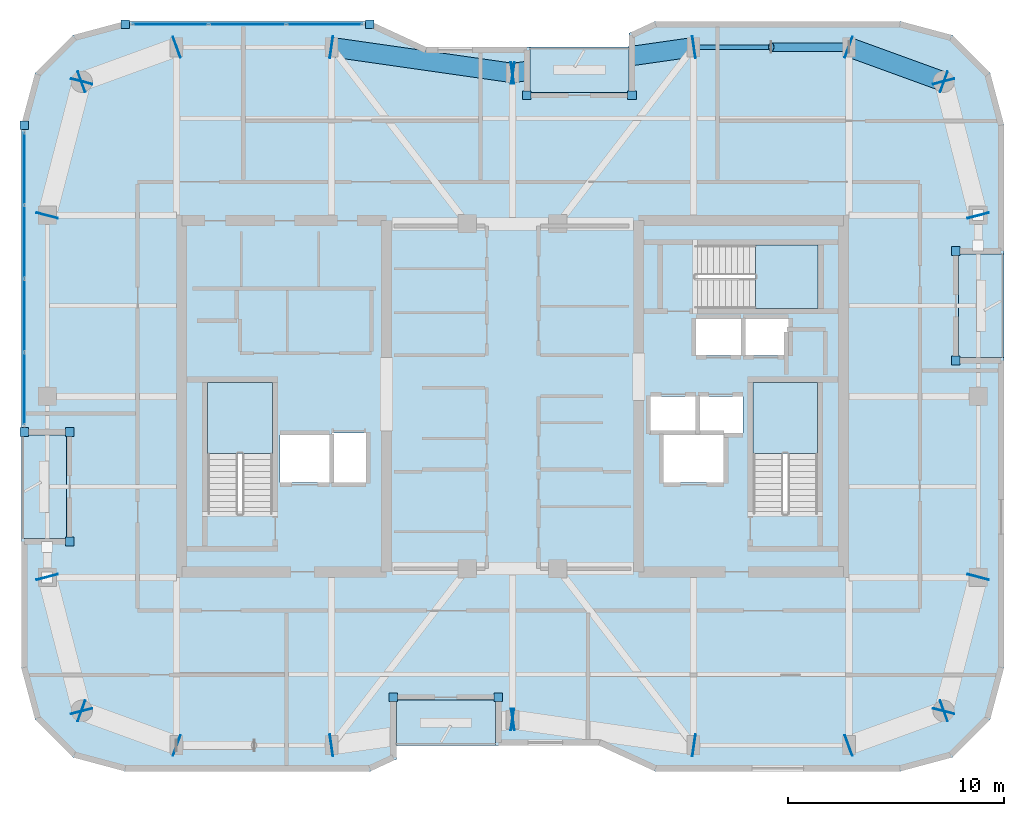
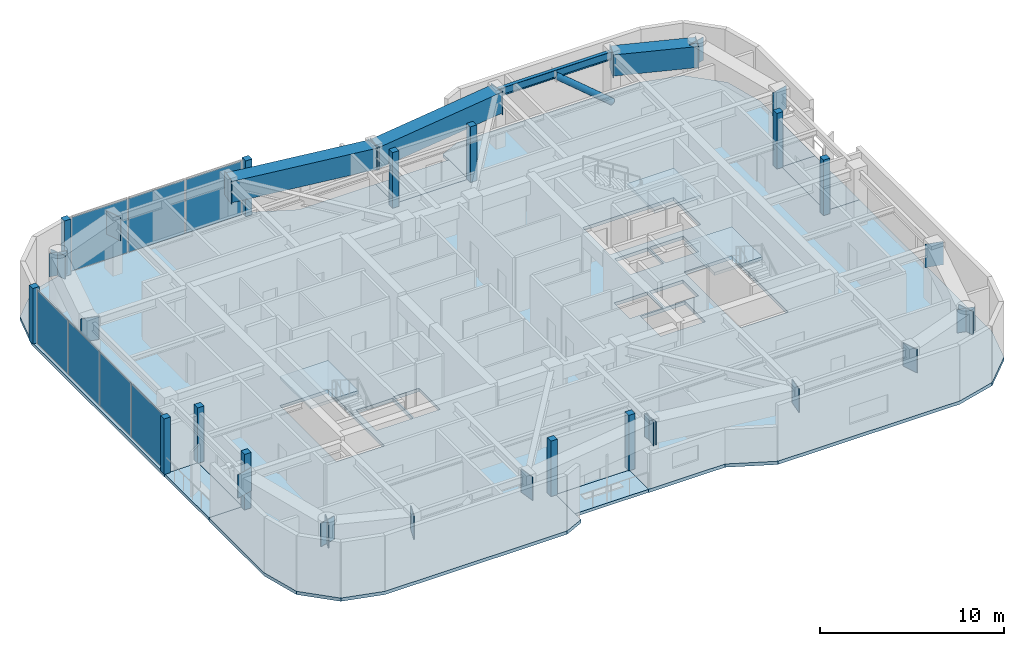
# One storey, part 7 of 16: 43 plates, 8 slabs, 4 beams, 1 member, 5 elements without a shape of their own.
"""IFC4 building model written with IfcOpenShell, lengths in metres."""

from ifc_helpers import new_model, si_unit, direction, frame, origin, origin_2d, place, context, subcontext, project, spatial, polyline, rectangle, hollow_rectangle, hollow_circle, i_section, outline, extrude, material, layer, layer_set, material_profile, profile_set, type_object, element, aggregate, save


model = new_model("IFC4")

# Units and contexts
model_context = context("Model", 3, precision=1e-05, world=origin(), true_north=direction((0.0, 1.0)))
body_context = subcontext(model_context, "Body", "Model", "MODEL_VIEW")
ifc_project = project(units=[si_unit("LENGTHUNIT", "METRE"), si_unit("AREAUNIT", "SQUARE_METRE"), si_unit("VOLUMEUNIT", "CUBIC_METRE"), si_unit("PLANEANGLEUNIT", "RADIAN"), si_unit("MASSUNIT", "GRAM", prefix="KILO")], contexts=[model_context])

# Site, building, storey
site_placement = place(None, origin())
site = spatial("IfcSite", under=ifc_project, at=site_placement, CompositionType="ELEMENT")
building_placement = place(site_placement, origin())
building = spatial("IfcBuilding", under=site, at=building_placement, Name="Kiyonajd Concourse Tower", CompositionType="ELEMENT")
storey_placement = place(building_placement, frame((0.0, 0.0, 329.699951171875)))
storey = spatial("IfcBuildingStorey", under=building, at=storey_placement, Name="L83", CompositionType="ELEMENT", Elevation=329.699951171875)

# Beams
ifc_material_1 = material(Name="Steel ASTM A992 Grade 50", Category="steel")
ifc_material_profile_1 = material_profile(ifc_material_1, i_section(OverallWidth=0.2109375, OverallDepth=0.5390625, WebThickness=0.01171875, FlangeThickness=0.018798828125, at=origin_2d()), Name="W530X109")
ifc_profile_set_1 = profile_set([ifc_material_profile_1], Name="Steel ASTM A992 Grade 50")
beam_type_1 = type_object("IfcBeamType", Name="BM-SPAN-530B", PredefinedType="SPANDREL", material=ifc_profile_set_1)
beam_1_placement = place(storey_placement, frame((63.60009765625, 52.199951171875, 3.41064453125), z_axis=(-1.0, 0.0, 0.0), x_axis=(0.0, -1.0, 0.0)))
element("IfcBeam", 1, at=beam_1_placement, inside=storey, type_object=beam_type_1, Name="L83 Perimeter Bundled Tube Spandrel", PredefinedType="SPANDREL", context=body_context, shape_type="SweptSolid", body=[
    extrude(i_section(OverallWidth=0.2109375, OverallDepth=0.5390625, WebThickness=0.01171875, FlangeThickness=0.018798828125, at=origin_2d()), origin(), (0.0, 0.0, 1.0), 7.2001953125),
])
ifc_material_2 = material(Name="Steel ASTM A572 Grade 50", Category="steel")
ifc_material_profile_2 = material_profile(ifc_material_2, hollow_rectangle(XDim=0.89990234375, YDim=1.39990234375, WallThickness=0.070068359375, at=origin_2d()), Name="BOX-1400x900x70")
ifc_profile_set_2 = profile_set([ifc_material_profile_2], Name="Steel ASTM A572 Grade 50")
beam_type_2 = type_object("IfcBeamType", Name="BM-XFER-1400", PredefinedType="BEAM", material=ifc_profile_set_2)
beam_2_placement = place(storey_placement, frame((68.0, 50.60009765625, 2.97998046875), z_axis=(-0.939801036019, 0.341722127901, 0.0), x_axis=(-0.341722127901, -0.939801036019, 0.0)))
element("IfcBeam", 2, at=beam_2_placement, inside=storey, type_object=beam_type_2, Name="L83 Perimeter Bundled Tube Spandrel", PredefinedType="BEAM", context=body_context, shape_type="SweptSolid", body=[
    extrude(hollow_rectangle(XDim=0.89990234375, YDim=1.39990234375, WallThickness=0.070068359375, at=origin_2d()), origin(), (0.0, 0.0, 1.0), 4.681640625),
])
for number, where, z_axis, x_axis, name in (
    (3, (56.39990234375, 52.199951171875, 2.97998046875), (-0.989950069105, -0.141417328072, 0.0), (0.141417328072, -0.989950069105, 0.0), "L83 Perimeter Bundled Tube Spandrel"),
    (4, (48.0, 51.0, 2.97998046875), (-0.989950069105, 0.141417328072, 0.0), (-0.141417328072, -0.989950069105, 0.0), "L83 Perimeter Bundled Tube Spandrel"),
):
    element("IfcBeam", number, at=place(storey_placement, frame(where, z_axis=z_axis, x_axis=x_axis)), inside=storey, type_object=beam_type_2, Name=name, PredefinedType="BEAM", context=body_context, shape_type="SweptSolid", body=[
        extrude(hollow_rectangle(XDim=0.89990234375, YDim=1.39990234375, WallThickness=0.070068359375, at=origin_2d()), origin(), (0.0, 0.0, 1.0), 8.485107421875),
    ])

# Member
ifc_material_3 = material(Name="Steel ASTM A500 Grade C", Category="steel")
ifc_material_profile_3 = material_profile(ifc_material_3, hollow_circle(Radius=0.202880859375, WallThickness=0.01904296875, at=origin_2d()), Name="CHS-406x19")
ifc_profile_set_3 = profile_set([ifc_material_profile_3], Name="Steel ASTM A500 Grade C")
member_type = type_object("IfcMemberType", Name="MB-PB-HIGH", PredefinedType="BRACE", material=ifc_profile_set_3)
member_placement = place(storey_placement, frame((63.60009765625, 52.199951171875, 0.300048828125), z_axis=(-0.765082043761, 0.0, 0.643932811957), x_axis=(0.0, -1.0, 0.0)))
element("IfcMember", 5, at=member_placement, inside=storey, type_object=member_type, Name="L83 Upper Zone Hollow Tube Brace PBN", PredefinedType="BRACE", context=body_context, shape_type="SweptSolid", body=[
    extrude(hollow_circle(Radius=0.202880859375, WallThickness=0.01904296875, at=origin_2d()), origin(), (0.0, 0.0, 1.0), 4.70556640625),
])

# Plates
ifc_layer_1 = layer(ifc_material_2, 0.031982421875)
ifc_layer_set_1 = layer_set([ifc_layer_1], Name="Steel ASTM A572 Grade 50")
plate_type_1 = type_object("IfcPlateType", Name="PL-CAP-540", PredefinedType="USERDEFINED", material=ifc_layer_set_1)
for number, where, z_axis, x_axis, name in (
    (6, (26.397216796875, 27.610595703125, 2.2099609375), (0.0, 0.0, 1.0), (-0.249873048837, 0.968278606324, 0.0), "L83 Welded Box Girder End Cap"),
    (7, (28.002685546875, 21.389404296875, 2.2099609375), (0.0, 0.0, 1.0), (0.249873048837, -0.968278606324, 0.0), "L83 Welded Box Girder End Cap"),
    (8, (27.98974609375, 21.40380859375, 2.2099609375), (0.0, 0.0, 1.0), (-0.939811951086, 0.341692107891, 0.0), "L83 Welded Box Girder End Cap"),
    (9, (32.410400390625, 19.796142578125, 2.2099609375), (0.0, 0.0, 1.0), (0.939811951086, -0.341692107891, 0.0), "L83 Welded Box Girder End Cap"),
    (10, (39.589111328125, 19.79833984375, 2.2099609375), (0.0, 0.0, 1.0), (-0.989949746297, -0.141419587774, 0.0), "L83 Welded Box Girder End Cap"),
    (11, (48.010986328125, 21.001708984375, 2.2099609375), (0.0, 0.0, 1.0), (0.989949746297, 0.141419587774, 0.0), "L83 Welded Box Girder End Cap"),
    (12, (47.989013671875, 21.001708984375, 2.2099609375), (0.0, 0.0, 1.0), (-0.989949746297, 0.141419587774, 0.0), "L83 Welded Box Girder End Cap"),
    (13, (56.410888671875, 19.79833984375, 2.2099609375), (0.0, 0.0, 1.0), (0.989949746297, -0.141419587774, 0.0), "L83 Welded Box Girder End Cap"),
    (14, (63.589599609375, 19.796142578125, 2.2099609375), (0.0, 0.0, 1.0), (-0.939811951086, -0.341692107891, 0.0), "L83 Welded Box Girder End Cap"),
    (15, (68.01025390625, 21.40380859375, 2.2099609375), (0.0, 0.0, 1.0), (0.939811951086, 0.341692107891, 0.0), "L83 Welded Box Girder End Cap"),
    (16, (67.997314453125, 21.389404296875, 2.2099609375), (0.0, 0.0, 1.0), (-0.249873048837, -0.968278606324, 0.0), "L83 Welded Box Girder End Cap"),
    (17, (69.602783203125, 27.610595703125, 2.2099609375), (0.0, 0.0, 1.0), (0.249873048837, 0.968278606324, 0.0), "L83 Welded Box Girder End Cap"),
    (18, (69.602783203125, 44.389404296875, 2.2099609375), (0.0, 0.0, 1.0), (0.249873048837, -0.968278606324, 0.0), "L83 Welded Box Girder End Cap"),
    (19, (67.997314453125, 50.610595703125, 2.2099609375), (0.0, 0.0, 1.0), (-0.249873048837, 0.968278606324, 0.0), "L83 Welded Box Girder End Cap"),
    (20, (68.01025390625, 50.59619140625, 2.2099609375), (0.0, 0.0, 1.0), (0.939811951086, -0.341692107891, 0.0), "L83 Welded Box Girder End Cap"),
    (21, (63.589599609375, 52.203857421875, 2.2099609375), (0.0, 0.0, 1.0), (-0.939811951086, 0.341692107891, 0.0), "L83 Welded Box Girder End Cap"),
    (22, (56.410888671875, 52.20166015625, 2.2099609375), (0.0, 0.0, 1.0), (0.989949746297, 0.141419587774, 0.0), "L83 Welded Box Girder End Cap"),
    (23, (47.989013671875, 50.998291015625, 2.2099609375), (0.0, 0.0, 1.0), (-0.989949746297, -0.141419587774, 0.0), "L83 Welded Box Girder End Cap"),
    (24, (48.010986328125, 50.998291015625, 2.2099609375), (0.0, 0.0, 1.0), (0.989949746297, -0.141419587774, 0.0), "L83 Welded Box Girder End Cap"),
    (25, (39.589111328125, 52.20166015625, 2.2099609375), (0.0, 0.0, 1.0), (-0.989949746297, 0.141419587774, 0.0), "L83 Welded Box Girder End Cap"),
    (26, (32.410400390625, 52.203857421875, 2.2099609375), (0.0, 0.0, 1.0), (0.939811951086, 0.341692107891, 0.0), "L83 Welded Box Girder End Cap"),
    (27, (27.98974609375, 50.59619140625, 2.2099609375), (0.0, 0.0, 1.0), (-0.939811951086, -0.341692107891, 0.0), "L83 Welded Box Girder End Cap"),
    (28, (28.002685546875, 50.610595703125, 2.2099609375), (0.0, 0.0, 1.0), (0.249873048837, 0.968278606324, 0.0), "L83 Welded Box Girder End Cap"),
    (29, (26.397216796875, 44.389404296875, 2.2099609375), (0.0, 0.0, 1.0), (-0.249873048837, -0.968278606324, 0.0), "L83 Welded Box Girder End Cap"),
):
    element("IfcPlate", number, at=place(storey_placement, frame(where, z_axis=z_axis, x_axis=x_axis)), inside=storey, type_object=plate_type_1, Name=name, ObjectType="CAP PLATE", PredefinedType="USERDEFINED", context=body_context, shape_type="SweptSolid", body=[
        extrude(rectangle(XDim=0.035888671875, YDim=1.02001953125, at=origin_2d()), origin(), (0.0, 0.0, 1.0), 1.5400390625),
    ])

# Curtain wall, plates
ifc_material_4 = material(Name="Thermally Broken Anodised Aluminium", Category="aluminium")
ifc_layer_2 = layer(ifc_material_4, 0.179931640625)
ifc_layer_set_2 = layer_set([ifc_layer_2], Name="Thermally Broken Anodised Aluminium")
curtain_wall_type = type_object("IfcCurtainWallType", Name="CW-SYS-04", PredefinedType="NOTDEFINED", material=ifc_layer_set_2)
curtain_wall_1_placement = place(storey_placement, origin())
curtain_wall_1 = element("IfcCurtainWall", 30, at=curtain_wall_1_placement, inside=storey, type_object=curtain_wall_type, Name="L83 Unitised Curtain Wall CW4", PredefinedType="NOTDEFINED")
ifc_material_5 = material(Name="Double Low-E Insulated Glass", Category="glass")
ifc_layer_3 = layer(ifc_material_5, 0.033935546875)
ifc_layer_set_3 = layer_set([ifc_layer_3], Name="Double Low-E Insulated Glass")
plate_type_2 = type_object("IfcPlateType", Name="PL-CW-VIS34", PredefinedType="CURTAIN_PANEL", material=ifc_layer_set_3)
plate_1_placement = place(storey_placement, frame((25.340087890625, 36.35400390625, 0.06494140625), z_axis=(0.0, 0.0, 1.0), x_axis=(0.0, 1.0, 0.0)))
plate_1 = element("IfcPlate", 31, at=plate_1_placement, type_object=plate_type_2, Name="CW4 panel 1.1", PredefinedType="CURTAIN_PANEL", context=body_context, shape_type="SweptSolid", body=[
    extrude(rectangle(XDim=3.31787109375, YDim=0.033935546875, at=origin_2d()), origin(), (0.0, 0.0, 1.0), 3.550048828125),
])
plate_2_placement = place(storey_placement, frame((25.340087890625, 39.753173828125, 0.06494140625), z_axis=(0.0, 0.0, 1.0), x_axis=(0.0, 1.0, 0.0)))
plate_2 = element("IfcPlate", 32, at=plate_2_placement, type_object=plate_type_2, Name="CW4 panel 2.1", PredefinedType="CURTAIN_PANEL", context=body_context, shape_type="SweptSolid", body=[
    extrude(rectangle(XDim=3.350341796875, YDim=0.033935546875, at=origin_2d()), origin(), (0.0, 0.0, 1.0), 3.550048828125),
])
plate_3_placement = place(storey_placement, frame((25.340087890625, 43.16845703125, 0.06494140625), z_axis=(0.0, 0.0, 1.0), x_axis=(0.0, 1.0, 0.0)))
plate_3 = element("IfcPlate", 33, at=plate_3_placement, type_object=plate_type_2, Name="CW4 panel 3.1", PredefinedType="CURTAIN_PANEL", context=body_context, shape_type="SweptSolid", body=[
    extrude(rectangle(XDim=3.350341796875, YDim=0.033935546875, at=origin_2d()), origin(), (0.0, 0.0, 1.0), 3.550048828125),
])
plate_4_placement = place(storey_placement, frame((25.340087890625, 46.567626953125, 0.06494140625), z_axis=(0.0, 0.0, 1.0), x_axis=(0.0, 1.0, 0.0)))
plate_4 = element("IfcPlate", 34, at=plate_4_placement, type_object=plate_type_2, Name="CW4 panel 4.1", PredefinedType="CURTAIN_PANEL", context=body_context, shape_type="SweptSolid", body=[
    extrude(rectangle(XDim=3.31787109375, YDim=0.033935546875, at=origin_2d()), origin(), (0.0, 0.0, 1.0), 3.550048828125),
])
aggregate(curtain_wall_1, [plate_1, plate_2, plate_3, plate_4])

curtain_wall_2_placement = place(storey_placement, origin())
curtain_wall_2 = element("IfcCurtainWall", 35, at=curtain_wall_2_placement, inside=storey, type_object=curtain_wall_type, Name="L83 Unitised Curtain Wall CW4", PredefinedType="NOTDEFINED")
plate_5_placement = place(storey_placement, frame((32.119873046875, 53.260009765625, 0.06494140625), z_axis=(0.0, 0.0, 1.0), x_axis=(1.0, 0.0, 0.0)))
plate_5 = element("IfcPlate", 36, at=plate_5_placement, type_object=plate_type_2, Name="CW4 panel 1.1", PredefinedType="CURTAIN_PANEL", context=body_context, shape_type="SweptSolid", body=[
    extrude(rectangle(XDim=3.492919921875, YDim=0.033935546875, at=origin_2d()), origin(), (0.0, 0.0, 1.0), 3.550048828125),
])
plate_6_placement = place(storey_placement, frame((35.69384765625, 53.260009765625, 0.06494140625), z_axis=(0.0, 0.0, 1.0), x_axis=(1.0, 0.0, 0.0)))
plate_6 = element("IfcPlate", 37, at=plate_6_placement, type_object=plate_type_2, Name="CW4 panel 2.1", PredefinedType="CURTAIN_PANEL", context=body_context, shape_type="SweptSolid", body=[
    extrude(rectangle(XDim=3.525390625, YDim=0.033935546875, at=origin_2d()), origin(), (0.0, 0.0, 1.0), 3.550048828125),
])
plate_7_placement = place(storey_placement, frame((39.267822265625, 53.260009765625, 0.06494140625), z_axis=(0.0, 0.0, 1.0), x_axis=(1.0, 0.0, 0.0)))
plate_7 = element("IfcPlate", 38, at=plate_7_placement, type_object=plate_type_2, Name="CW4 panel 3.1", PredefinedType="CURTAIN_PANEL", context=body_context, shape_type="SweptSolid", body=[
    extrude(rectangle(XDim=3.492919921875, YDim=0.033935546875, at=origin_2d()), origin(), (0.0, 0.0, 1.0), 3.550048828125),
])
aggregate(curtain_wall_2, [plate_5, plate_6, plate_7])

# Plates
ifc_layer_4 = layer(ifc_material_4, 0.39990234375)
ifc_layer_set_4 = layer_set([ifc_layer_4], Name="Thermally Broken Anodised Aluminium")
plate_type_3 = type_object("IfcPlateType", Name="PL-JMB-400", PredefinedType="USERDEFINED", material=ifc_layer_set_4)
for number, where, z_axis, x_axis, name in (
    (39, (27.43994140625, 29.260009765625, 0.0), (0.0, 0.0, 1.0), (1.0, 0.0, 0.0), "L83 Facade Jamb Closure Plate 01"),
    (40, (27.43994140625, 34.340087890625, 0.0), (0.0, 0.0, 1.0), (1.0, 0.0, 0.0), "L83 Facade Jamb Closure Plate 02"),
    (41, (25.340087890625, 34.340087890625, 0.0), (0.0, 0.0, 1.0), (1.0, 0.0, 0.0), "L83 Facade Jamb Closure Plate 03"),
    (42, (25.340087890625, 48.58154296875, 0.0), (0.0, 0.0, 1.0), (1.0, 0.0, 0.0), "L83 Facade Jamb Closure Plate 04"),
    (43, (30.018310546875, 53.260009765625, 0.0), (0.0, 0.0, 1.0), (1.0, 0.0, 0.0), "L83 Facade Jamb Closure Plate 05"),
    (44, (41.369384765625, 53.260009765625, 0.0), (0.0, 0.0, 1.0), (1.0, 0.0, 0.0), "L83 Facade Jamb Closure Plate 06"),
    (45, (48.659912109375, 49.9599609375, 0.0), (0.0, 0.0, 1.0), (1.0, 0.0, 0.0), "L83 Facade Jamb Closure Plate 07"),
    (46, (53.5400390625, 49.9599609375, 0.0), (0.0, 0.0, 1.0), (1.0, 0.0, 0.0), "L83 Facade Jamb Closure Plate 08"),
    (47, (68.56005859375, 42.739990234375, 0.0), (0.0, 0.0, 1.0), (1.0, 0.0, 0.0), "L83 Facade Jamb Closure Plate 09"),
    (48, (68.56005859375, 37.659912109375, 0.0), (0.0, 0.0, 1.0), (1.0, 0.0, 0.0), "L83 Facade Jamb Closure Plate 10"),
    (49, (47.340087890625, 22.0400390625, 0.0), (0.0, 0.0, 1.0), (1.0, 0.0, 0.0), "L83 Facade Jamb Closure Plate 11"),
    (50, (42.4599609375, 22.0400390625, 0.0), (0.0, 0.0, 1.0), (1.0, 0.0, 0.0), "L83 Facade Jamb Closure Plate 12"),
):
    element("IfcPlate", number, at=place(storey_placement, frame(where, z_axis=z_axis, x_axis=x_axis)), inside=storey, type_object=plate_type_3, Name=name, ObjectType="JAMB PLATE", PredefinedType="USERDEFINED", context=body_context, shape_type="SweptSolid", body=[
        extrude(rectangle(XDim=0.39990234375, YDim=0.39990234375, at=origin_2d()), origin(), (0.0, 0.0, 1.0), 3.679931640625),
    ])

# Stair, slab
ifc_material_6 = material(Name="Concrete C40/50", Category="concrete")
stair_type = type_object("IfcStairType", Name="ST-DLG-22R", PredefinedType="HALF_TURN_STAIR", material=ifc_material_6)
stair_1_placement = place(storey_placement, origin())
stair_1 = element("IfcStair", 51, at=stair_1_placement, inside=storey, type_object=stair_type, Name="L83 Protected Exit Stair ST1", PredefinedType="HALF_TURN_STAIR")
ifc_layer_5 = layer(ifc_material_6, 0.199951171875)
ifc_layer_set_5 = layer_set([ifc_layer_5], Name="Concrete C40/50")
slab_type_1 = type_object("IfcSlabType", Name="SL-LND-200", PredefinedType="LANDING", material=ifc_layer_set_5)
slab_1_placement = place(storey_placement, frame((0.0, 0.0, 1.75)))
slab_1 = element("IfcSlab", 52, at=slab_1_placement, type_object=slab_type_1, Name="ST1 landing 1", PredefinedType="LANDING", context=body_context, shape_type="SweptSolid", body=[
    extrude(outline(polyline([(36.85009765625, 33.35009765625), (36.85009765625, 36.64990234375), (33.85009765625, 36.64990234375), (33.85009765625, 33.35009765625), (36.85009765625, 33.35009765625)])), origin(), (0.0, 0.0, 1.0), 0.199951171875),
])
aggregate(stair_1, [slab_1])

stair_2_placement = place(storey_placement, origin())
stair_2 = element("IfcStair", 53, at=stair_2_placement, inside=storey, type_object=stair_type, Name="L83 Protected Exit Stair ST2", PredefinedType="HALF_TURN_STAIR")
slab_2_placement = place(storey_placement, frame((0.0, 0.0, 1.75)))
slab_2 = element("IfcSlab", 54, at=slab_2_placement, type_object=slab_type_1, Name="ST2 landing 1", PredefinedType="LANDING", context=body_context, shape_type="SweptSolid", body=[
    extrude(outline(polyline([(62.14990234375, 33.35009765625), (62.14990234375, 36.64990234375), (59.14990234375, 36.64990234375), (59.14990234375, 33.35009765625), (62.14990234375, 33.35009765625)])), origin(), (0.0, 0.0, 1.0), 0.199951171875),
])
aggregate(stair_2, [slab_2])

stair_3_placement = place(storey_placement, origin())
stair_3 = element("IfcStair", 55, at=stair_3_placement, inside=storey, type_object=stair_type, Name="L83 Protected Exit Stair ST3", PredefinedType="HALF_TURN_STAIR")
slab_3_placement = place(storey_placement, frame((0.0, 0.0, 1.75)))
slab_3 = element("IfcSlab", 56, at=slab_3_placement, type_object=slab_type_1, Name="ST3 landing 1", PredefinedType="LANDING", context=body_context, shape_type="SweptSolid", body=[
    extrude(outline(polyline([(59.280029296875, 40.080078125), (62.179931640625, 40.080078125), (62.179931640625, 43.02001953125), (59.280029296875, 43.02001953125), (59.280029296875, 40.080078125)])), origin(), (0.0, 0.0, 1.0), 0.199951171875),
])
aggregate(stair_3, [slab_3])

# Slabs
ifc_material_7 = material(Name="Precast concrete C50/60", Category="concrete")
ifc_layer_6 = layer(ifc_material_7, 0.199951171875)
ifc_layer_set_6 = layer_set([ifc_layer_6], Name="Precast concrete C50/60")
slab_type_2 = type_object("IfcSlabType", Name="SL-LOG-200", PredefinedType="FLOOR", material=ifc_layer_set_6)
slab_4_placement = place(storey_placement, frame((0.0, 0.0, -0.199951171875)))
element("IfcSlab", 57, at=slab_4_placement, inside=storey, type_object=slab_type_2, Name="L83 Recessed Engawa Loggia Terrace Slab LOG-S", PredefinedType="FLOOR", context=body_context, shape_type="SweptSolid", body=[
    extrude(outline(polyline([(42.60009765625, 19.800048828125), (47.199951171875, 19.800048828125), (47.199951171875, 21.89990234375), (42.60009765625, 21.89990234375), (42.60009765625, 19.800048828125)])), origin(), (0.0, 0.0, 1.0), 0.199951171875),
])
slab_5_placement = place(storey_placement, frame((0.0, 0.0, -0.199951171875)))
element("IfcSlab", 58, at=slab_5_placement, inside=storey, type_object=slab_type_2, Name="L83 Recessed Engawa Loggia Terrace Slab LOG-N", PredefinedType="FLOOR", context=body_context, shape_type="SweptSolid", body=[
    extrude(outline(polyline([(48.800048828125, 50.10009765625), (53.39990234375, 50.10009765625), (53.39990234375, 52.199951171875), (48.800048828125, 52.199951171875), (48.800048828125, 50.10009765625)])), origin(), (0.0, 0.0, 1.0), 0.199951171875),
])
slab_6_placement = place(storey_placement, frame((0.0, 0.0, -0.199951171875)))
element("IfcSlab", 59, at=slab_6_placement, inside=storey, type_object=slab_type_2, Name="L83 Recessed Engawa Loggia Terrace Slab LOG-W", PredefinedType="FLOOR", context=body_context, shape_type="SweptSolid", body=[
    extrude(outline(polyline([(25.199951171875, 29.39990234375), (27.300048828125, 29.39990234375), (27.300048828125, 34.199951171875), (25.199951171875, 34.199951171875), (25.199951171875, 29.39990234375)])), origin(), (0.0, 0.0, 1.0), 0.199951171875),
])
slab_7_placement = place(storey_placement, frame((0.0, 0.0, -0.199951171875)))
element("IfcSlab", 60, at=slab_7_placement, inside=storey, type_object=slab_type_2, Name="L83 Recessed Engawa Loggia Terrace Slab LOG-E", PredefinedType="FLOOR", context=body_context, shape_type="SweptSolid", body=[
    extrude(outline(polyline([(68.699951171875, 37.800048828125), (70.800048828125, 37.800048828125), (70.800048828125, 42.60009765625), (68.699951171875, 42.60009765625), (68.699951171875, 37.800048828125)])), origin(), (0.0, 0.0, 1.0), 0.199951171875),
])
ifc_layer_7 = layer(ifc_material_6, 0.219970703125)
ifc_layer_set_7 = layer_set([ifc_layer_7], Name="Concrete C40/50")
slab_type_3 = type_object("IfcSlabType", Name="SL-TWR-220", PredefinedType="FLOOR", material=ifc_layer_set_7)
slab_8_placement = place(storey_placement, frame((0.0, 0.0, -0.219970703125)))
element("IfcSlab", 61, at=slab_8_placement, inside=storey, type_object=slab_type_3, Name="L83 Tower Conditioned Floor Slab", PredefinedType="FLOOR", context=body_context, shape_type="SweptSolid", body=[
    extrude(outline(polyline([(25.843017578125, 21.0), (25.199951171875, 23.39990234375), (25.199951171875, 29.39990234375), (27.300048828125, 29.39990234375), (27.300048828125, 34.199951171875), (25.199951171875, 34.199951171875), (25.199951171875, 48.60009765625), (25.843017578125, 51.0), (27.60009765625, 52.757080078125), (30.0, 53.39990234375), (41.39990234375, 53.39990234375), (44.0, 52.199951171875), (48.800048828125, 52.199951171875), (48.800048828125, 50.10009765625), (53.39990234375, 50.10009765625), (53.39990234375, 52.845947265625), (54.60009765625, 53.39990234375), (66.0, 53.39990234375), (68.39990234375, 52.757080078125), (70.156982421875, 51.0), (70.800048828125, 48.60009765625), (70.800048828125, 42.60009765625), (68.699951171875, 42.60009765625), (68.699951171875, 37.800048828125), (70.800048828125, 37.800048828125), (70.800048828125, 23.39990234375), (70.156982421875, 21.0), (68.39990234375, 19.242919921875), (66.0, 18.60009765625), (54.60009765625, 18.60009765625), (52.0, 19.800048828125), (47.199951171875, 19.800048828125), (47.199951171875, 21.89990234375), (42.60009765625, 21.89990234375), (42.60009765625, 19.154052734375), (41.39990234375, 18.60009765625), (30.0, 18.60009765625), (27.60009765625, 19.242919921875), (25.843017578125, 21.0)]), holes=[polyline([(39.5, 32.0), (37.199951171875, 32.0), (37.199951171875, 34.199951171875), (39.5, 34.199951171875), (39.5, 32.0)]), polyline([(57.800048828125, 32.0), (55.0, 32.0), (55.0, 34.199951171875), (57.800048828125, 34.199951171875), (57.800048828125, 32.0)]), polyline([(41.199951171875, 32.0), (39.60009765625, 32.0), (39.60009765625, 34.300048828125), (41.199951171875, 34.300048828125), (41.199951171875, 32.0)]), polyline([(33.85009765625, 30.550048828125), (33.85009765625, 36.64990234375), (36.85009765625, 36.64990234375), (36.85009765625, 30.550048828125), (33.85009765625, 30.550048828125)]), polyline([(59.14990234375, 30.550048828125), (59.14990234375, 36.64990234375), (62.14990234375, 36.64990234375), (62.14990234375, 30.550048828125), (59.14990234375, 30.550048828125)]), polyline([(56.5, 34.300048828125), (54.39990234375, 34.300048828125), (54.39990234375, 36.0), (56.5, 36.0), (56.5, 34.300048828125)]), polyline([(58.699951171875, 34.300048828125), (56.60009765625, 34.300048828125), (56.60009765625, 36.0), (58.699951171875, 36.0), (58.699951171875, 34.300048828125)]), polyline([(58.60009765625, 37.89990234375), (56.5, 37.89990234375), (56.5, 39.60009765625), (58.60009765625, 39.60009765625), (58.60009765625, 37.89990234375)]), polyline([(58.699951171875, 37.89990234375), (58.699951171875, 39.60009765625), (60.800048828125, 39.60009765625), (60.800048828125, 37.89990234375), (58.699951171875, 37.89990234375)]), polyline([(56.47998046875, 43.02001953125), (62.179931640625, 43.02001953125), (62.179931640625, 40.080078125), (56.47998046875, 40.080078125), (56.47998046875, 43.02001953125)])]), origin(), (0.0, 0.0, 1.0), 0.219970703125),
])

save(model, "model.ifc")
